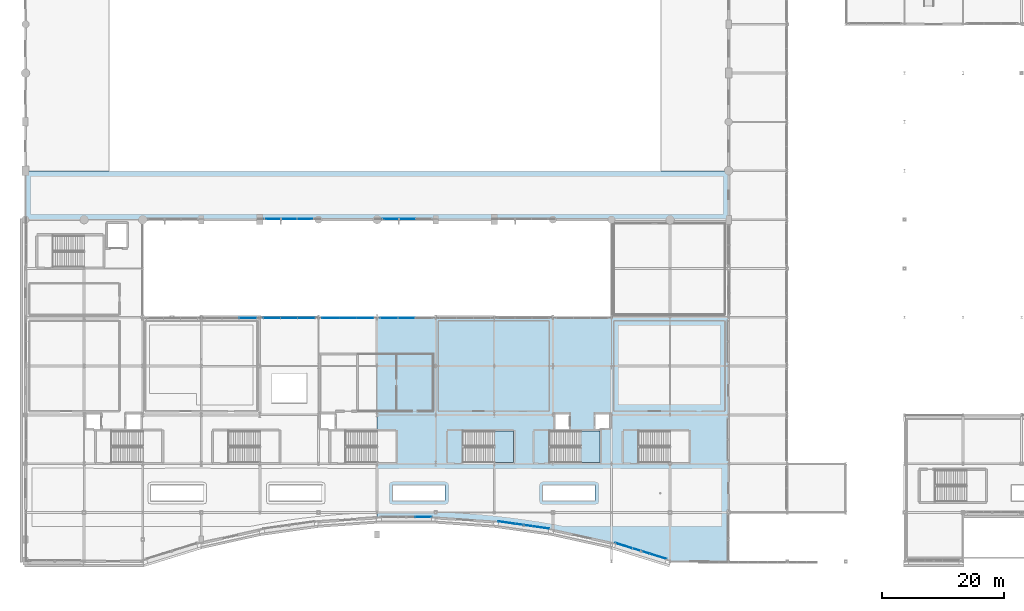
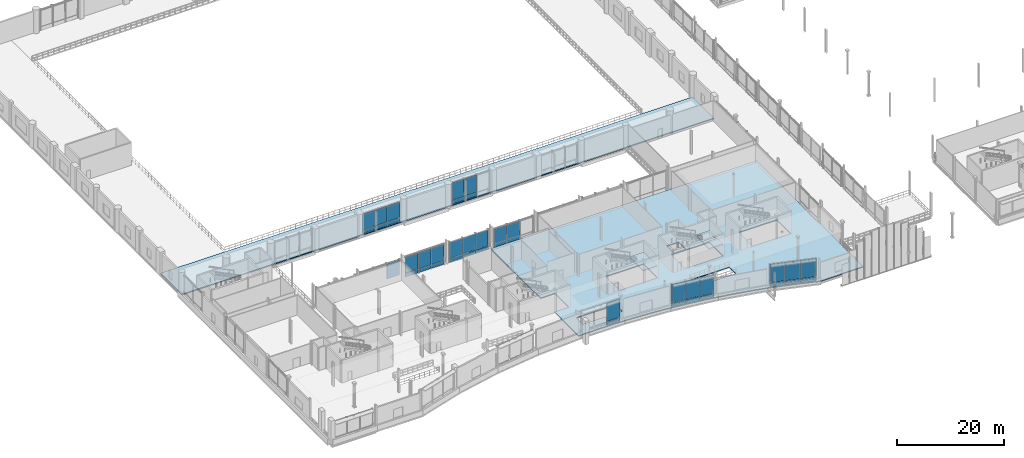
# One storey, part 70 of 129: 39 plates, 4 slabs, 11 elements without a shape of their own.
"""IFC4 building model written with IfcOpenShell, lengths in metres."""

import ifcopenshell
import ifcopenshell.guid

model = None  # the IFC model being written
_history = None  # IfcOwnerHistory: only IFC2X3 demands one
_inside = {}  # id of a spatial element -> (the spatial element, [elements in it])
_under = {}  # id of a project, library or spatial element -> (it, [spatial elements below it])
_declared = {}  # id of a project -> (the project, [libraries it declares])
_typed = {}  # id of a type object -> (the type object, [elements of that type])
_made_of = {}  # id of a material, layer set ... -> (it, [elements and type objects made of it])


def new_model(schema):
    """Start an empty IFC model of exactly this schema.

    Asked for "IFC4X3", IfcOpenShell would pick the latest addendum, in which some entities
    have other attributes; the version numbers below select the first issue.
    IFC2X3 requires an IfcOwnerHistory on every rooted entity: one is made here for all.
    """
    global model, _history
    if schema == "IFC4X3":
        model = ifcopenshell.file(schema_version=(4, 3, 0, 0))
    else:
        model = ifcopenshell.file(schema=schema)
    _inside.clear()
    _under.clear()
    _declared.clear()
    _typed.clear()
    _made_of.clear()
    _history = None
    if model.schema == "IFC2X3":
        org = make("IfcOrganization", Name="unknown")
        user = make(
            "IfcPersonAndOrganization",
            ThePerson=make("IfcPerson", FamilyName="unknown"),
            TheOrganization=org,
        )
        app = make(
            "IfcApplication",
            ApplicationDeveloper=org,
            Version="unknown",
            ApplicationFullName="unknown",
            ApplicationIdentifier="unknown",
        )
        _history = make(
            "IfcOwnerHistory",
            OwningUser=user,
            OwningApplication=app,
            ChangeAction="ADDED",
            CreationDate=0,
        )
    return model


def make(cls, **values):
    """One entity of the class cls with the attributes given. An attribute that is None is left unset."""
    return model.create_entity(
        cls, **{name: value for name, value in values.items() if value is not None}
    )


def rooted(cls, **values):
    """An entity with a GlobalId (a new one), such as an element, a storey or a relation."""
    return make(cls, GlobalId=ifcopenshell.guid.new(), OwnerHistory=_history, **values)


def si_unit(unit_type, name, prefix=None):
    """IfcSIUnit, for example si_unit("LENGTHUNIT", "METRE", prefix="MILLI")."""
    return make("IfcSIUnit", UnitType=unit_type, Prefix=prefix, Name=name)


def assignment(units):
    """IfcUnitAssignment: the units of a project."""
    return None if units is None else make("IfcUnitAssignment", Units=units)


def point(xyz):
    """IfcCartesianPoint."""
    return None if xyz is None else make("IfcCartesianPoint", Coordinates=xyz)


def direction(xyz):
    """IfcDirection."""
    return None if xyz is None else make("IfcDirection", DirectionRatios=xyz)


def frame(location, z_axis=None, x_axis=None):
    """IfcAxis2Placement3D, a coordinate frame: its origin and axes. An axis left out is left unset."""
    return make(
        "IfcAxis2Placement3D",
        Location=point(location),
        Axis=direction(z_axis),
        RefDirection=direction(x_axis),
    )


def frame_2d(location, x_axis=None):
    """IfcAxis2Placement2D, a coordinate frame in the plane: its origin and x axis."""
    return make(
        "IfcAxis2Placement2D", Location=point(location), RefDirection=direction(x_axis)
    )


def origin():
    """The frame at (0, 0, 0) with its axes left unset."""
    return frame((0.0, 0.0, 0.0))


def origin_2d():
    """The frame at (0, 0) in the plane with its x axis left unset."""
    return frame_2d((0.0, 0.0))


def place(relative_to, where):
    """IfcLocalPlacement: puts the frame where relative to a parent placement (None: the world)."""
    return make(
        "IfcLocalPlacement", PlacementRelTo=relative_to, RelativePlacement=where
    )


def context(
    kind, dimensions, precision=None, world=None, true_north=None, identifier=None
):
    """IfcGeometricRepresentationContext, for example the 3D "Model" context."""
    return make(
        "IfcGeometricRepresentationContext",
        ContextIdentifier=identifier,
        ContextType=kind,
        CoordinateSpaceDimension=dimensions,
        Precision=precision,
        WorldCoordinateSystem=world,
        TrueNorth=true_north,
    )


def subcontext(parent, identifier, kind, view, scale=None):
    """IfcGeometricRepresentationSubContext, for example "Body" below "Model"."""
    return make(
        "IfcGeometricRepresentationSubContext",
        ContextIdentifier=identifier,
        ContextType=kind,
        ParentContext=parent,
        TargetScale=scale,
        TargetView=view,
    )


def project(units=None, contexts=None):
    """IfcProject with its units and contexts."""
    return rooted(
        "IfcProject",
        Name="project",
        RepresentationContexts=contexts,
        UnitsInContext=assignment(units),
    )


def spatial(cls, under=None, at=None, **own):
    """A site, building, storey or space (cls), placed at a placement, below another one or the project."""
    s = rooted(cls, ObjectPlacement=at, **own)
    if under is not None:
        _under.setdefault(under.id(), (under, []))[1].append(s)
    return s


def polyline(points):
    """IfcPolyline through the points."""
    return make("IfcPolyline", Points=[point(p) for p in points])


def profile(cls, at=None, kind="AREA", **sizes):
    """A parametric profile (cls). Its sizes go by their IFC names, for example OverallWidth=200.0."""
    return make(cls, ProfileType=kind, Position=at, **sizes)


def rectangle(**sizes):
    """IfcRectangleProfileDef."""
    return profile("IfcRectangleProfileDef", **sizes)


def outline(outer, holes=None, kind="AREA"):
    """IfcArbitraryClosedProfileDef: a profile drawn as a closed curve; with holes, ...WithVoids."""
    if holes is None:
        return make("IfcArbitraryClosedProfileDef", ProfileType=kind, OuterCurve=outer)
    return make(
        "IfcArbitraryProfileDefWithVoids",
        ProfileType=kind,
        OuterCurve=outer,
        InnerCurves=holes,
    )


def extrude(swept, where, along, depth):
    """IfcExtrudedAreaSolid: the profile swept, set in the frame where, extruded along a direction by depth."""
    return make(
        "IfcExtrudedAreaSolid",
        SweptArea=swept,
        Position=where,
        ExtrudedDirection=direction(along),
        Depth=depth,
    )


def shape(context_of_items, identifier, shape_type, items):
    """IfcShapeRepresentation: the items that make up one representation, for example the "Body"."""
    return make(
        "IfcShapeRepresentation",
        ContextOfItems=context_of_items,
        RepresentationIdentifier=identifier,
        RepresentationType=shape_type,
        Items=items,
    )


def material(Name=None, Category=None):
    """IfcMaterial."""
    return make("IfcMaterial", Name=Name, Category=Category)


def layer(
    of_material, thickness, ventilated=None, Name=None, Category=None, Priority=None
):
    """IfcMaterialLayer: one layer of a wall or slab, of a material (None: an air gap)."""
    return make(
        "IfcMaterialLayer",
        Material=of_material,
        LayerThickness=thickness,
        IsVentilated=ventilated,
        Name=Name,
        Category=Category,
        Priority=Priority,
    )


def layer_set(layers, Name=None):
    """IfcMaterialLayerSet."""
    return make("IfcMaterialLayerSet", MaterialLayers=layers, LayerSetName=Name)


def made_of(thing, what):
    """Note that an element or type object is made of a material, layer set ...; save() writes the relation."""
    if what is not None:
        _made_of.setdefault(what.id(), (what, []))[1].append(thing)
    return thing


def type_object(cls, material=None, **own):
    """A type object (cls), such as IfcWallType, which elements share."""
    return made_of(rooted(cls, **own), material)


def element(
    cls,
    number,
    at=None,
    inside=None,
    cuts=None,
    type_object=None,
    material=None,
    context=None,
    identifier="Body",
    shape_type=None,
    held_by="IfcProductDefinitionShape",
    body=None,
    shapes=None,
    **own,
):
    """One element of the class cls, such as IfcWall. Its Tag is "e" and its number.

    at: its placement. inside: the storey or other place that contains it. cuts: it is an
    opening in that element (IfcRelVoidsElement). A single representation is given by context,
    identifier, shape_type and body (its items); several are given by shapes. held_by: the class
    of the entity that holds the representations. save() writes the other relations.
    """
    e = rooted(cls, Tag="e%d" % number, ObjectPlacement=at, **own)
    if body is not None:
        shapes = [shape(context, identifier, shape_type, body)]
    if shapes is not None:
        e.Representation = make(held_by, Representations=shapes)
    if inside is not None:
        _inside.setdefault(inside.id(), (inside, []))[1].append(e)
    if cuts is not None:
        rooted(
            "IfcRelVoidsElement", RelatingBuildingElement=cuts, RelatedOpeningElement=e
        )
    if type_object is not None:
        _typed.setdefault(type_object.id(), (type_object, []))[1].append(e)
    return made_of(e, material)


def aggregate(whole, parts):
    """IfcRelAggregates: a whole, such as a stair, and the parts it consists of."""
    return rooted("IfcRelAggregates", RelatingObject=whole, RelatedObjects=parts)


def save(model, path):
    """Write the relations noted so far, then the file.

    IfcRelAggregates (storeys below a building ...), IfcRelContainedInSpatialStructure (elements
    in a storey), IfcRelDefinesByType, IfcRelAssociatesMaterial and IfcRelDeclares: one each for
    every whole, place, type object, material and project.
    """
    for whole, parts in _under.values():
        aggregate(whole, parts)
    for where, things in _inside.values():
        rooted(
            "IfcRelContainedInSpatialStructure",
            RelatedElements=things,
            RelatingStructure=where,
        )
    for kind, things in _typed.values():
        rooted("IfcRelDefinesByType", RelatedObjects=things, RelatingType=kind)
    for what, things in _made_of.values():
        rooted("IfcRelAssociatesMaterial", RelatedObjects=things, RelatingMaterial=what)
    for by, libraries in _declared.values():
        rooted("IfcRelDeclares", RelatingContext=by, RelatedDefinitions=libraries)
    model.write(path)


model = new_model("IFC4")

# Units and contexts
model_context = context("Model", 3, precision=1e-05, world=origin(), true_north=direction((0.0, 1.0)))
body_context = subcontext(model_context, "Body", "Model", "MODEL_VIEW")
ifc_project = project(units=[si_unit("LENGTHUNIT", "METRE"), si_unit("AREAUNIT", "SQUARE_METRE"), si_unit("VOLUMEUNIT", "CUBIC_METRE"), si_unit("PLANEANGLEUNIT", "RADIAN"), si_unit("MASSUNIT", "GRAM", prefix="KILO")], contexts=[model_context])

# Site, building, storey
site_placement = place(None, origin())
site = spatial("IfcSite", under=ifc_project, at=site_placement, CompositionType="ELEMENT")
building_placement = place(site_placement, origin())
building = spatial("IfcBuilding", under=site, at=building_placement, Name="Danafjord Basin Convention Centre", CompositionType="ELEMENT")
storey_placement = place(building_placement, frame((0.0, 0.0, 6.0)))
storey = spatial("IfcBuildingStorey", under=building, at=storey_placement, Name="L01", CompositionType="ELEMENT", Elevation=6.0)

# Curtain wall, plates
ifc_material_1 = material(Name="Anodised aluminium and triple glazing", Category="aluminium")
curtain_wall_type_1 = type_object("IfcCurtainWallType", Name="CW-CW-HALL", PredefinedType="NOTDEFINED", material=ifc_material_1)
curtain_wall_1_placement = place(storey_placement, origin())
curtain_wall_1 = element("IfcCurtainWall", 1, at=curtain_wall_1_placement, inside=storey, type_object=curtain_wall_type_1, Name="L01 CW-HALL unitised curtain wall bay 4", PredefinedType="NOTDEFINED")
ifc_material_2 = material(Name="Triple low-E insulated glazing", Category="glass")
ifc_layer_1 = layer(ifc_material_2, 0.0380859375)
ifc_layer_set_1 = layer_set([ifc_layer_1], Name="Triple low-E insulated glazing")
plate_type_1 = type_object("IfcPlateType", Name="PLT-GP-38", PredefinedType="CURTAIN_PANEL", material=ifc_layer_set_1)
plate_1_placement = place(storey_placement, frame((40.49169921875, 56.1201171875, 0.97802734375), z_axis=(0.0, 0.0, 1.0), x_axis=(1.0, 0.0, 0.0)))
plate_1 = element("IfcPlate", 2, at=plate_1_placement, type_object=plate_type_1, Name="CW-L01-004 vision glazing unit 1", PredefinedType="CURTAIN_PANEL", context=body_context, shape_type="SweptSolid", body=[
    extrude(rectangle(XDim=2.627197265625, YDim=0.0380859375, at=origin_2d()), origin(), (0.0, 0.0, 1.0), 3.513916015625),
])
plate_2_placement = place(storey_placement, frame((43.175048828125, 56.1201171875, 0.97802734375), z_axis=(0.0, 0.0, 1.0), x_axis=(1.0, 0.0, 0.0)))
plate_2 = element("IfcPlate", 3, at=plate_2_placement, type_object=plate_type_1, Name="CW-L01-004 vision glazing unit 2", PredefinedType="CURTAIN_PANEL", context=body_context, shape_type="SweptSolid", body=[
    extrude(rectangle(XDim=2.627197265625, YDim=0.0380859375, at=origin_2d()), origin(), (0.0, 0.0, 1.0), 3.513916015625),
])
plate_3_placement = place(storey_placement, frame((45.8583984375, 56.1201171875, 0.97802734375), z_axis=(0.0, 0.0, 1.0), x_axis=(1.0, 0.0, 0.0)))
plate_3 = element("IfcPlate", 4, at=plate_3_placement, type_object=plate_type_1, Name="CW-L01-004 vision glazing unit 3", PredefinedType="CURTAIN_PANEL", context=body_context, shape_type="SweptSolid", body=[
    extrude(rectangle(XDim=2.627197265625, YDim=0.0380859375, at=origin_2d()), origin(), (0.0, 0.0, 1.0), 3.513916015625),
])

curtain_wall_2_placement = place(storey_placement, origin())
curtain_wall_2 = element("IfcCurtainWall", 5, at=curtain_wall_2_placement, inside=storey, type_object=curtain_wall_type_1, Name="L01 CW-HALL unitised curtain wall bay 6", PredefinedType="NOTDEFINED")
plate_4_placement = place(storey_placement, frame((59.841796875, 56.1201171875, 0.97802734375), z_axis=(0.0, 0.0, 1.0), x_axis=(1.0, 0.0, 0.0)))
plate_4 = element("IfcPlate", 6, at=plate_4_placement, type_object=plate_type_1, Name="CW-L01-006 vision glazing unit 1", PredefinedType="CURTAIN_PANEL", context=body_context, shape_type="SweptSolid", body=[
    extrude(rectangle(XDim=2.627197265625, YDim=0.0380859375, at=origin_2d()), origin(), (0.0, 0.0, 1.0), 3.884033203125),
])
plate_5_placement = place(storey_placement, frame((62.52490234375, 56.1201171875, 0.97802734375), z_axis=(0.0, 0.0, 1.0), x_axis=(1.0, 0.0, 0.0)))
plate_5 = element("IfcPlate", 7, at=plate_5_placement, type_object=plate_type_1, Name="CW-L01-006 vision glazing unit 2", PredefinedType="CURTAIN_PANEL", context=body_context, shape_type="SweptSolid", body=[
    extrude(rectangle(XDim=2.627197265625, YDim=0.0380859375, at=origin_2d()), origin(), (0.0, 0.0, 1.0), 3.884033203125),
])

curtain_wall_type_2 = type_object("IfcCurtainWallType", Name="CW-CW-HARB", PredefinedType="NOTDEFINED", material=ifc_material_1)
curtain_wall_3_placement = place(storey_placement, origin())
curtain_wall_3 = element("IfcCurtainWall", 8, at=curtain_wall_3_placement, inside=storey, type_object=curtain_wall_type_2, Name="L01 CW-HARB unitised curtain wall bay 20", PredefinedType="NOTDEFINED")
plate_6_placement = place(storey_placement, frame((78.822509765625, 6.35595703125, 0.97802734375), z_axis=(0.0, 0.0, 1.0), x_axis=(0.990128157327, -0.140165017276, 0.0)))
plate_6 = element("IfcPlate", 9, at=plate_6_placement, type_object=plate_type_1, Name="CW-L01-020 vision glazing unit 1", PredefinedType="CURTAIN_PANEL", context=body_context, shape_type="SweptSolid", body=[
    extrude(rectangle(XDim=2.77587890625, YDim=0.0380859375, at=origin_2d()), origin(), (0.0, 0.0, 1.0), 4.083984375),
])
plate_7_placement = place(storey_placement, frame((81.62646484375, 5.958984375, 0.97802734375), z_axis=(0.0, 0.0, 1.0), x_axis=(0.990128157327, -0.140165017276, 0.0)))
plate_7 = element("IfcPlate", 10, at=plate_7_placement, type_object=plate_type_1, Name="CW-L01-020 vision glazing unit 2", PredefinedType="CURTAIN_PANEL", context=body_context, shape_type="SweptSolid", body=[
    extrude(rectangle(XDim=2.77587890625, YDim=0.0380859375, at=origin_2d()), origin(), (0.0, 0.0, 1.0), 4.083984375),
])
plate_8_placement = place(storey_placement, frame((84.430419921875, 5.56201171875, 0.97802734375), z_axis=(0.0, 0.0, 1.0), x_axis=(0.990128157327, -0.140165017276, 0.0)))
plate_8 = element("IfcPlate", 11, at=plate_8_placement, type_object=plate_type_1, Name="CW-L01-020 vision glazing unit 3", PredefinedType="CURTAIN_PANEL", context=body_context, shape_type="SweptSolid", body=[
    extrude(rectangle(XDim=2.77587890625, YDim=0.0380859375, at=origin_2d()), origin(), (0.0, 0.0, 1.0), 4.083984375),
])

# Curtain wall, plate
curtain_wall_type_3 = type_object("IfcCurtainWallType", Name="CW-CW-TERR", PredefinedType="NOTDEFINED", material=ifc_material_1)
curtain_wall_4_placement = place(storey_placement, origin())
curtain_wall_4 = element("IfcCurtainWall", 12, at=curtain_wall_4_placement, inside=storey, type_object=curtain_wall_type_3, Name="L01 CW-TERR unitised curtain wall bay 48", PredefinedType="NOTDEFINED")
plate_9_placement = place(storey_placement, frame((36.39990234375, 39.8798828125, 0.97802734375), z_axis=(0.0, 0.0, 1.0), x_axis=(-1.0, 0.0, 0.0)))
plate_9 = element("IfcPlate", 13, at=plate_9_placement, type_object=plate_type_1, Name="CW-L01-048 vision glazing unit 1", PredefinedType="CURTAIN_PANEL", context=body_context, shape_type="SweptSolid", body=[
    extrude(rectangle(XDim=2.743896484375, YDim=0.0380859375, at=origin_2d()), origin(), (0.0, 0.0, 1.0), 3.4140625),
])
aggregate(curtain_wall_4, [plate_9])

# Curtain wall, plates
curtain_wall_5_placement = place(storey_placement, origin())
curtain_wall_5 = element("IfcCurtainWall", 14, at=curtain_wall_5_placement, inside=storey, type_object=curtain_wall_type_3, Name="L01 CW-TERR unitised curtain wall bay 50", PredefinedType="NOTDEFINED")
plate_10_placement = place(storey_placement, frame((55.60009765625, 39.8798828125, 0.97802734375), z_axis=(0.0, 0.0, 1.0), x_axis=(-1.0, 0.0, 0.0)))
plate_10 = element("IfcPlate", 15, at=plate_10_placement, type_object=plate_type_1, Name="CW-L01-050 vision glazing unit 1", PredefinedType="CURTAIN_PANEL", context=body_context, shape_type="SweptSolid", body=[
    extrude(rectangle(XDim=2.743896484375, YDim=0.0380859375, at=origin_2d()), origin(), (0.0, 0.0, 1.0), 3.614013671875),
])
plate_11_placement = place(storey_placement, frame((52.800048828125, 39.8798828125, 0.97802734375), z_axis=(0.0, 0.0, 1.0), x_axis=(-1.0, 0.0, 0.0)))
plate_11 = element("IfcPlate", 16, at=plate_11_placement, type_object=plate_type_1, Name="CW-L01-050 vision glazing unit 2", PredefinedType="CURTAIN_PANEL", context=body_context, shape_type="SweptSolid", body=[
    extrude(rectangle(XDim=2.743896484375, YDim=0.0380859375, at=origin_2d()), origin(), (0.0, 0.0, 1.0), 3.614013671875),
])
plate_12_placement = place(storey_placement, frame((50.0, 39.8798828125, 0.97802734375), z_axis=(0.0, 0.0, 1.0), x_axis=(-1.0, 0.0, 0.0)))
plate_12 = element("IfcPlate", 17, at=plate_12_placement, type_object=plate_type_1, Name="CW-L01-050 vision glazing unit 3", PredefinedType="CURTAIN_PANEL", context=body_context, shape_type="SweptSolid", body=[
    extrude(rectangle(XDim=2.743896484375, YDim=0.0380859375, at=origin_2d()), origin(), (0.0, 0.0, 1.0), 3.614013671875),
])

# Curtain wall, plate
curtain_wall_6_placement = place(storey_placement, origin())
curtain_wall_6 = element("IfcCurtainWall", 18, at=curtain_wall_6_placement, inside=storey, type_object=curtain_wall_type_2, Name="L01 CW-HARB unitised curtain wall bay 19", PredefinedType="NOTDEFINED")
ifc_layer_2 = layer(ifc_material_2, 0.048095703125)
ifc_layer_set_2 = layer_set([ifc_layer_2], Name="Triple low-E insulated glazing")
plate_type_2 = type_object("IfcPlateType", Name="PLT-GP-48", PredefinedType="CURTAIN_PANEL", material=ifc_layer_set_2)
plate_13_placement = place(storey_placement, frame((65.199951171875, 7.300048828125, 0.97802734375), z_axis=(0.0, 0.0, 1.0), x_axis=(1.0, 0.0, 0.0)))
plate_13 = element("IfcPlate", 19, at=plate_13_placement, type_object=plate_type_2, Name="CW-L01-019 vision glazing unit 3", PredefinedType="CURTAIN_PANEL", context=body_context, shape_type="SweptSolid", body=[
    extrude(rectangle(XDim=2.743896484375, YDim=0.048095703125, at=origin_2d()), origin(), (0.0, 0.0, 1.0), 4.083984375),
])

# Curtain wall, plates
curtain_wall_7_placement = place(storey_placement, origin())
curtain_wall_7 = element("IfcCurtainWall", 20, at=curtain_wall_7_placement, inside=storey, type_object=curtain_wall_type_2, Name="L01 CW-HARB unitised curtain wall bay 21", PredefinedType="NOTDEFINED")
plate_14_placement = place(storey_placement, frame((98.044921875, 2.5673828125, 0.97802734375), z_axis=(0.0, 0.0, 1.0), x_axis=(0.955044712757, -0.296461796249, 0.0)))
plate_14 = element("IfcPlate", 21, at=plate_14_placement, type_object=plate_type_2, Name="CW-L01-021 vision glazing unit 1", PredefinedType="CURTAIN_PANEL", context=body_context, shape_type="SweptSolid", body=[
    extrude(rectangle(XDim=2.89453125, YDim=0.048095703125, at=origin_2d()), origin(), (0.0, 0.0, 1.0), 4.083984375),
])
plate_15_placement = place(storey_placement, frame((100.86279296875, 1.69287109375, 0.97802734375), z_axis=(0.0, 0.0, 1.0), x_axis=(0.955044712757, -0.296461796249, 0.0)))
plate_15 = element("IfcPlate", 22, at=plate_15_placement, type_object=plate_type_2, Name="CW-L01-021 vision glazing unit 2", PredefinedType="CURTAIN_PANEL", context=body_context, shape_type="SweptSolid", body=[
    extrude(rectangle(XDim=2.89453125, YDim=0.048095703125, at=origin_2d()), origin(), (0.0, 0.0, 1.0), 4.083984375),
])
plate_16_placement = place(storey_placement, frame((103.680908203125, 0.818115234375, 0.97802734375), z_axis=(0.0, 0.0, 1.0), x_axis=(0.955044712757, -0.296461796249, 0.0)))
plate_16 = element("IfcPlate", 23, at=plate_16_placement, type_object=plate_type_2, Name="CW-L01-021 vision glazing unit 3", PredefinedType="CURTAIN_PANEL", context=body_context, shape_type="SweptSolid", body=[
    extrude(rectangle(XDim=2.89453125, YDim=0.048095703125, at=origin_2d()), origin(), (0.0, 0.0, 1.0), 4.083984375),
])

curtain_wall_8_placement = place(storey_placement, origin())
curtain_wall_8 = element("IfcCurtainWall", 24, at=curtain_wall_8_placement, inside=storey, type_object=curtain_wall_type_3, Name="L01 CW-TERR unitised curtain wall bay 49", PredefinedType="NOTDEFINED")
plate_17_placement = place(storey_placement, frame((46.0, 39.8798828125, 0.97802734375), z_axis=(0.0, 0.0, 1.0), x_axis=(-1.0, 0.0, 0.0)))
plate_17 = element("IfcPlate", 25, at=plate_17_placement, type_object=plate_type_2, Name="CW-L01-049 vision glazing unit 1", PredefinedType="CURTAIN_PANEL", context=body_context, shape_type="SweptSolid", body=[
    extrude(rectangle(XDim=2.743896484375, YDim=0.048095703125, at=origin_2d()), origin(), (0.0, 0.0, 1.0), 3.6640625),
])
plate_18_placement = place(storey_placement, frame((43.199951171875, 39.8798828125, 0.97802734375), z_axis=(0.0, 0.0, 1.0), x_axis=(-1.0, 0.0, 0.0)))
plate_18 = element("IfcPlate", 26, at=plate_18_placement, type_object=plate_type_2, Name="CW-L01-049 vision glazing unit 2", PredefinedType="CURTAIN_PANEL", context=body_context, shape_type="SweptSolid", body=[
    extrude(rectangle(XDim=2.743896484375, YDim=0.048095703125, at=origin_2d()), origin(), (0.0, 0.0, 1.0), 3.6640625),
])
plate_19_placement = place(storey_placement, frame((40.39990234375, 39.8798828125, 0.97802734375), z_axis=(0.0, 0.0, 1.0), x_axis=(-1.0, 0.0, 0.0)))
plate_19 = element("IfcPlate", 27, at=plate_19_placement, type_object=plate_type_2, Name="CW-L01-049 vision glazing unit 3", PredefinedType="CURTAIN_PANEL", context=body_context, shape_type="SweptSolid", body=[
    extrude(rectangle(XDim=2.743896484375, YDim=0.048095703125, at=origin_2d()), origin(), (0.0, 0.0, 1.0), 3.6640625),
])

curtain_wall_9_placement = place(storey_placement, origin())
curtain_wall_9 = element("IfcCurtainWall", 28, at=curtain_wall_9_placement, inside=storey, type_object=curtain_wall_type_3, Name="L01 CW-TERR unitised curtain wall bay 51", PredefinedType="NOTDEFINED")
plate_20_placement = place(storey_placement, frame((62.39990234375, 39.8798828125, 0.087890625), z_axis=(0.0, 0.0, 1.0), x_axis=(-1.0, 0.0, 0.0)))
plate_20 = element("IfcPlate", 29, at=plate_20_placement, type_object=plate_type_2, Name="CW-L01-051 vision glazing unit 2", PredefinedType="CURTAIN_PANEL", context=body_context, shape_type="SweptSolid", body=[
    extrude(rectangle(XDim=2.743896484375, YDim=0.048095703125, at=origin_2d()), origin(), (0.0, 0.0, 1.0), 4.154052734375),
])
plate_21_placement = place(storey_placement, frame((59.60009765625, 39.8798828125, 0.087890625), z_axis=(0.0, 0.0, 1.0), x_axis=(-1.0, 0.0, 0.0)))
plate_21 = element("IfcPlate", 30, at=plate_21_placement, type_object=plate_type_2, Name="CW-L01-051 vision glazing unit 3", PredefinedType="CURTAIN_PANEL", context=body_context, shape_type="SweptSolid", body=[
    extrude(rectangle(XDim=2.743896484375, YDim=0.048095703125, at=origin_2d()), origin(), (0.0, 0.0, 1.0), 4.154052734375),
])
aggregate(curtain_wall_9, [plate_20, plate_21])

# Plate
ifc_material_3 = material(Name="Insulated aluminium spandrel cassette", Category="aluminium")
ifc_layer_3 = layer(ifc_material_3, 0.070068359375)
ifc_layer_set_3 = layer_set([ifc_layer_3], Name="Insulated aluminium spandrel cassette")
plate_type_3 = type_object("IfcPlateType", Name="PLT-SPN-70", PredefinedType="CURTAIN_PANEL", material=ifc_layer_set_3)
plate_22_placement = place(storey_placement, frame((40.49169921875, 56.1201171875, 0.087890625), z_axis=(0.0, 0.0, 1.0), x_axis=(1.0, 0.0, 0.0)))
plate_22 = element("IfcPlate", 31, at=plate_22_placement, type_object=plate_type_3, Name="CW-L01-004 spandrel cassette 1", PredefinedType="CURTAIN_PANEL", context=body_context, shape_type="SweptSolid", body=[
    extrude(rectangle(XDim=2.627197265625, YDim=0.070068359375, at=origin_2d()), origin(), (0.0, 0.0, 1.0), 0.833984375),
])

plate_23_placement = place(storey_placement, frame((43.175048828125, 56.1201171875, 0.087890625), z_axis=(0.0, 0.0, 1.0), x_axis=(1.0, 0.0, 0.0)))
plate_23 = element("IfcPlate", 32, at=plate_23_placement, type_object=plate_type_3, Name="CW-L01-004 spandrel cassette 2", PredefinedType="CURTAIN_PANEL", context=body_context, shape_type="SweptSolid", body=[
    extrude(rectangle(XDim=2.627197265625, YDim=0.070068359375, at=origin_2d()), origin(), (0.0, 0.0, 1.0), 0.833984375),
])

plate_24_placement = place(storey_placement, frame((45.8583984375, 56.1201171875, 0.087890625), z_axis=(0.0, 0.0, 1.0), x_axis=(1.0, 0.0, 0.0)))
plate_24 = element("IfcPlate", 33, at=plate_24_placement, type_object=plate_type_3, Name="CW-L01-004 spandrel cassette 3", PredefinedType="CURTAIN_PANEL", context=body_context, shape_type="SweptSolid", body=[
    extrude(rectangle(XDim=2.627197265625, YDim=0.070068359375, at=origin_2d()), origin(), (0.0, 0.0, 1.0), 0.833984375),
])

aggregate(curtain_wall_1, [plate_22, plate_1, plate_23, plate_2, plate_24, plate_3])

plate_25_placement = place(storey_placement, frame((59.841796875, 56.1201171875, 0.087890625), z_axis=(0.0, 0.0, 1.0), x_axis=(1.0, 0.0, 0.0)))
plate_25 = element("IfcPlate", 34, at=plate_25_placement, type_object=plate_type_3, Name="CW-L01-006 spandrel cassette 1", PredefinedType="CURTAIN_PANEL", context=body_context, shape_type="SweptSolid", body=[
    extrude(rectangle(XDim=2.627197265625, YDim=0.070068359375, at=origin_2d()), origin(), (0.0, 0.0, 1.0), 0.833984375),
])

plate_26_placement = place(storey_placement, frame((62.52490234375, 56.1201171875, 0.087890625), z_axis=(0.0, 0.0, 1.0), x_axis=(1.0, 0.0, 0.0)))
plate_26 = element("IfcPlate", 35, at=plate_26_placement, type_object=plate_type_3, Name="CW-L01-006 spandrel cassette 2", PredefinedType="CURTAIN_PANEL", context=body_context, shape_type="SweptSolid", body=[
    extrude(rectangle(XDim=2.627197265625, YDim=0.070068359375, at=origin_2d()), origin(), (0.0, 0.0, 1.0), 0.833984375),
])

aggregate(curtain_wall_2, [plate_25, plate_4, plate_26, plate_5])

plate_27_placement = place(storey_placement, frame((78.822509765625, 6.35595703125, 0.087890625), z_axis=(0.0, 0.0, 1.0), x_axis=(0.990128157327, -0.140165017276, 0.0)))
plate_27 = element("IfcPlate", 36, at=plate_27_placement, type_object=plate_type_3, Name="CW-L01-020 spandrel cassette 1", PredefinedType="CURTAIN_PANEL", context=body_context, shape_type="SweptSolid", body=[
    extrude(rectangle(XDim=2.77587890625, YDim=0.070068359375, at=origin_2d()), origin(), (0.0, 0.0, 1.0), 0.833984375),
])

plate_28_placement = place(storey_placement, frame((81.62646484375, 5.958984375, 0.087890625), z_axis=(0.0, 0.0, 1.0), x_axis=(0.990128157327, -0.140165017276, 0.0)))
plate_28 = element("IfcPlate", 37, at=plate_28_placement, type_object=plate_type_3, Name="CW-L01-020 spandrel cassette 2", PredefinedType="CURTAIN_PANEL", context=body_context, shape_type="SweptSolid", body=[
    extrude(rectangle(XDim=2.77587890625, YDim=0.070068359375, at=origin_2d()), origin(), (0.0, 0.0, 1.0), 0.833984375),
])

plate_29_placement = place(storey_placement, frame((84.430419921875, 5.56201171875, 0.087890625), z_axis=(0.0, 0.0, 1.0), x_axis=(0.990128157327, -0.140165017276, 0.0)))
plate_29 = element("IfcPlate", 38, at=plate_29_placement, type_object=plate_type_3, Name="CW-L01-020 spandrel cassette 3", PredefinedType="CURTAIN_PANEL", context=body_context, shape_type="SweptSolid", body=[
    extrude(rectangle(XDim=2.77587890625, YDim=0.070068359375, at=origin_2d()), origin(), (0.0, 0.0, 1.0), 0.833984375),
])

aggregate(curtain_wall_3, [plate_27, plate_6, plate_28, plate_7, plate_29, plate_8])

plate_30_placement = place(storey_placement, frame((55.60009765625, 39.8798828125, 0.087890625), z_axis=(0.0, 0.0, 1.0), x_axis=(-1.0, 0.0, 0.0)))
plate_30 = element("IfcPlate", 39, at=plate_30_placement, type_object=plate_type_3, Name="CW-L01-050 spandrel cassette 1", PredefinedType="CURTAIN_PANEL", context=body_context, shape_type="SweptSolid", body=[
    extrude(rectangle(XDim=2.743896484375, YDim=0.070068359375, at=origin_2d()), origin(), (0.0, 0.0, 1.0), 0.833984375),
])

plate_31_placement = place(storey_placement, frame((52.800048828125, 39.8798828125, 0.087890625), z_axis=(0.0, 0.0, 1.0), x_axis=(-1.0, 0.0, 0.0)))
plate_31 = element("IfcPlate", 40, at=plate_31_placement, type_object=plate_type_3, Name="CW-L01-050 spandrel cassette 2", PredefinedType="CURTAIN_PANEL", context=body_context, shape_type="SweptSolid", body=[
    extrude(rectangle(XDim=2.743896484375, YDim=0.070068359375, at=origin_2d()), origin(), (0.0, 0.0, 1.0), 0.833984375),
])

plate_32_placement = place(storey_placement, frame((50.0, 39.8798828125, 0.087890625), z_axis=(0.0, 0.0, 1.0), x_axis=(-1.0, 0.0, 0.0)))
plate_32 = element("IfcPlate", 41, at=plate_32_placement, type_object=plate_type_3, Name="CW-L01-050 spandrel cassette 3", PredefinedType="CURTAIN_PANEL", context=body_context, shape_type="SweptSolid", body=[
    extrude(rectangle(XDim=2.743896484375, YDim=0.070068359375, at=origin_2d()), origin(), (0.0, 0.0, 1.0), 0.833984375),
])

aggregate(curtain_wall_5, [plate_30, plate_10, plate_31, plate_11, plate_32, plate_12])

ifc_layer_4 = layer(ifc_material_3, 0.090087890625)
ifc_layer_set_4 = layer_set([ifc_layer_4], Name="Insulated aluminium spandrel cassette")
plate_type_4 = type_object("IfcPlateType", Name="PLT-SPN-90", PredefinedType="CURTAIN_PANEL", material=ifc_layer_set_4)
plate_33_placement = place(storey_placement, frame((65.199951171875, 7.300048828125, 0.087890625), z_axis=(0.0, 0.0, 1.0), x_axis=(1.0, 0.0, 0.0)))
plate_33 = element("IfcPlate", 42, at=plate_33_placement, type_object=plate_type_4, Name="CW-L01-019 spandrel cassette 3", PredefinedType="CURTAIN_PANEL", context=body_context, shape_type="SweptSolid", body=[
    extrude(rectangle(XDim=2.743896484375, YDim=0.090087890625, at=origin_2d()), origin(), (0.0, 0.0, 1.0), 0.833984375),
])

aggregate(curtain_wall_6, [plate_33, plate_13])

plate_34_placement = place(storey_placement, frame((98.044921875, 2.5673828125, 0.087890625), z_axis=(0.0, 0.0, 1.0), x_axis=(0.955044712757, -0.296461796249, 0.0)))
plate_34 = element("IfcPlate", 43, at=plate_34_placement, type_object=plate_type_4, Name="CW-L01-021 spandrel cassette 1", PredefinedType="CURTAIN_PANEL", context=body_context, shape_type="SweptSolid", body=[
    extrude(rectangle(XDim=2.89453125, YDim=0.090087890625, at=origin_2d()), origin(), (0.0, 0.0, 1.0), 0.833984375),
])

plate_35_placement = place(storey_placement, frame((100.86279296875, 1.69287109375, 0.087890625), z_axis=(0.0, 0.0, 1.0), x_axis=(0.955044712757, -0.296461796249, 0.0)))
plate_35 = element("IfcPlate", 44, at=plate_35_placement, type_object=plate_type_4, Name="CW-L01-021 spandrel cassette 2", PredefinedType="CURTAIN_PANEL", context=body_context, shape_type="SweptSolid", body=[
    extrude(rectangle(XDim=2.89453125, YDim=0.090087890625, at=origin_2d()), origin(), (0.0, 0.0, 1.0), 0.833984375),
])

plate_36_placement = place(storey_placement, frame((103.680908203125, 0.818115234375, 0.087890625), z_axis=(0.0, 0.0, 1.0), x_axis=(0.955044712757, -0.296461796249, 0.0)))
plate_36 = element("IfcPlate", 45, at=plate_36_placement, type_object=plate_type_4, Name="CW-L01-021 spandrel cassette 3", PredefinedType="CURTAIN_PANEL", context=body_context, shape_type="SweptSolid", body=[
    extrude(rectangle(XDim=2.89453125, YDim=0.090087890625, at=origin_2d()), origin(), (0.0, 0.0, 1.0), 0.833984375),
])

aggregate(curtain_wall_7, [plate_34, plate_14, plate_35, plate_15, plate_36, plate_16])

plate_37_placement = place(storey_placement, frame((46.0, 39.8798828125, 0.087890625), z_axis=(0.0, 0.0, 1.0), x_axis=(-1.0, 0.0, 0.0)))
plate_37 = element("IfcPlate", 46, at=plate_37_placement, type_object=plate_type_4, Name="CW-L01-049 spandrel cassette 1", PredefinedType="CURTAIN_PANEL", context=body_context, shape_type="SweptSolid", body=[
    extrude(rectangle(XDim=2.743896484375, YDim=0.090087890625, at=origin_2d()), origin(), (0.0, 0.0, 1.0), 0.833984375),
])

plate_38_placement = place(storey_placement, frame((43.199951171875, 39.8798828125, 0.087890625), z_axis=(0.0, 0.0, 1.0), x_axis=(-1.0, 0.0, 0.0)))
plate_38 = element("IfcPlate", 47, at=plate_38_placement, type_object=plate_type_4, Name="CW-L01-049 spandrel cassette 2", PredefinedType="CURTAIN_PANEL", context=body_context, shape_type="SweptSolid", body=[
    extrude(rectangle(XDim=2.743896484375, YDim=0.090087890625, at=origin_2d()), origin(), (0.0, 0.0, 1.0), 0.833984375),
])

plate_39_placement = place(storey_placement, frame((40.39990234375, 39.8798828125, 0.087890625), z_axis=(0.0, 0.0, 1.0), x_axis=(-1.0, 0.0, 0.0)))
plate_39 = element("IfcPlate", 48, at=plate_39_placement, type_object=plate_type_4, Name="CW-L01-049 spandrel cassette 3", PredefinedType="CURTAIN_PANEL", context=body_context, shape_type="SweptSolid", body=[
    extrude(rectangle(XDim=2.743896484375, YDim=0.090087890625, at=origin_2d()), origin(), (0.0, 0.0, 1.0), 0.833984375),
])

aggregate(curtain_wall_8, [plate_37, plate_17, plate_38, plate_18, plate_39, plate_19])

# Slabs
ifc_material_4 = material(Name="Concrete C35/45", Category="concrete")
ifc_layer_5 = layer(ifc_material_4, 0.22998046875)
ifc_layer_set_5 = layer_set([ifc_layer_5], Name="Concrete C35/45")
slab_type_1 = type_object("IfcSlabType", Name="SLAB-FS-230", PredefinedType="FLOOR", material=ifc_layer_set_5)
slab_1_placement = place(storey_placement, frame((0.0, 0.0, -0.22998046875)))
element("IfcSlab", 49, at=slab_1_placement, inside=storey, type_object=slab_type_1, Name="L01 FS-230 slab SL-L01-V4E", PredefinedType="FLOOR", context=body_context, shape_type="SweptSolid", body=[
    extrude(outline(polyline([(60.72998046875, 16.2099609375), (60.72998046875, 21.35009765625), (57.60009765625, 21.35009765625), (57.60009765625, 40.0), (115.14990234375, 40.0), (115.14990234375, 0.0), (107.956298828125, 0.0), (105.558349609375, 0.014892578125), (103.160400390625, 0.847900390625), (100.762451171875, 1.6201171875), (98.364501953125, 2.33203125), (95.966796875, 2.989013671875), (93.568603515625, 3.592041015625), (91.1708984375, 4.14306640625), (88.77294921875, 4.64404296875), (86.375, 5.097900390625), (83.97705078125, 5.50390625), (81.5791015625, 5.864990234375), (79.181396484375, 6.180908203125), (76.783203125, 6.4541015625), (74.385498046875, 6.68310546875), (71.987548828125, 6.8701171875), (69.589599609375, 7.014892578125), (67.191650390625, 7.117919921875), (64.793701171875, 7.178955078125), (62.395751953125, 7.199951171875), (59.997802734375, 7.178955078125), (57.60009765625, 7.116943359375), (57.60009765625, 16.2099609375), (60.72998046875, 16.2099609375)]), holes=[polyline([(108.72998046875, 21.35009765625), (100.530029296875, 21.35009765625), (100.530029296875, 16.2099609375), (108.72998046875, 16.2099609375), (108.72998046875, 21.35009765625)]), polyline([(95.800048828125, 24.300048828125), (93.199951171875, 24.300048828125), (93.199951171875, 21.699951171875), (95.800048828125, 21.699951171875), (95.800048828125, 24.300048828125)]), polyline([(94.1298828125, 21.35009765625), (85.929931640625, 21.35009765625), (85.929931640625, 16.2099609375), (94.1298828125, 16.2099609375), (94.1298828125, 21.35009765625)]), polyline([(93.324951171875, 12.425048828125), (84.800048828125, 12.425048828125), (84.800048828125, 9.97509765625), (93.324951171875, 9.97509765625), (93.324951171875, 12.425048828125)]), polyline([(89.199951171875, 24.300048828125), (86.60009765625, 24.300048828125), (86.60009765625, 21.699951171875), (89.199951171875, 21.699951171875), (89.199951171875, 24.300048828125)]), polyline([(79.929931640625, 21.35009765625), (71.72998046875, 21.35009765625), (71.72998046875, 16.2099609375), (79.929931640625, 16.2099609375), (79.929931640625, 21.35009765625)]), polyline([(60.199951171875, 12.425048828125), (60.199951171875, 9.97509765625), (68.72509765625, 9.97509765625), (68.72509765625, 12.425048828125), (60.199951171875, 12.425048828125)])]), origin(), (0.0, 0.0, 1.0), 0.22998046875),
])
ifc_layer_6 = layer(ifc_material_4, 0.25)
ifc_layer_set_6 = layer_set([ifc_layer_6], Name="Concrete C35/45")
slab_type_2 = type_object("IfcSlabType", Name="SLAB-FS-250", PredefinedType="FLOOR", material=ifc_layer_set_6)
slab_2_placement = place(storey_placement, frame((0.0, 0.0, -0.25)))
element("IfcSlab", 50, at=slab_2_placement, inside=storey, type_object=slab_type_2, Name="L01 FS-250 slab SL-L01-V1S", PredefinedType="FLOOR", context=body_context, shape_type="SweptSolid", body=[
    extrude(outline(polyline([(0.0, 56.0), (0.0, 64.0), (115.14990234375, 64.0), (115.14990234375, 56.0), (0.0, 56.0)])), origin(), (0.0, 0.0, 1.0), 0.25),
])

# Stair, slab
ifc_material_5 = material(Name="Concrete C40/50", Category="concrete")
stair_type = type_object("IfcStairType", Name="STAIR-STR-C01", PredefinedType="TWO_STRAIGHT_RUN_STAIR", material=ifc_material_5)
stair_1_placement = place(storey_placement, origin())
stair_1 = element("IfcStair", 51, at=stair_1_placement, inside=storey, type_object=stair_type, Name="L01 Central Harbour Core Stair 1", PredefinedType="HALF_TURN_STAIR")
ifc_layer_7 = layer(ifc_material_5, 0.199951171875)
ifc_layer_set_7 = layer_set([ifc_layer_7], Name="Concrete C40/50")
slab_type_3 = type_object("IfcSlabType", Name="SLAB-LAND-200", PredefinedType="LANDING", material=ifc_layer_set_7)
slab_3_placement = place(storey_placement, frame((0.0, 0.0, 2.5)))
slab_3 = element("IfcSlab", 52, at=slab_3_placement, type_object=slab_type_3, Name="ST-03 landing 1", PredefinedType="LANDING", context=body_context, shape_type="SweptSolid", body=[
    extrude(outline(polyline([(91.0400390625, 16.2099609375), (94.1298828125, 16.2099609375), (94.1298828125, 21.35009765625), (91.0400390625, 21.35009765625), (91.0400390625, 16.2099609375)])), origin(), (0.0, 0.0, 1.0), 0.199951171875),
])
aggregate(stair_1, [slab_3])

stair_2_placement = place(storey_placement, origin())
stair_2 = element("IfcStair", 53, at=stair_2_placement, inside=storey, type_object=stair_type, Name="L01 Mid-Arc Escape Stair 2", PredefinedType="HALF_TURN_STAIR")
slab_4_placement = place(storey_placement, frame((0.0, 0.0, 2.5)))
slab_4 = element("IfcSlab", 54, at=slab_4_placement, type_object=slab_type_3, Name="ST-06 landing 1", PredefinedType="LANDING", context=body_context, shape_type="SweptSolid", body=[
    extrude(outline(polyline([(76.840087890625, 16.2099609375), (79.929931640625, 16.2099609375), (79.929931640625, 21.35009765625), (76.840087890625, 21.35009765625), (76.840087890625, 16.2099609375)])), origin(), (0.0, 0.0, 1.0), 0.199951171875),
])
aggregate(stair_2, [slab_4])

save(model, "model.ifc")
